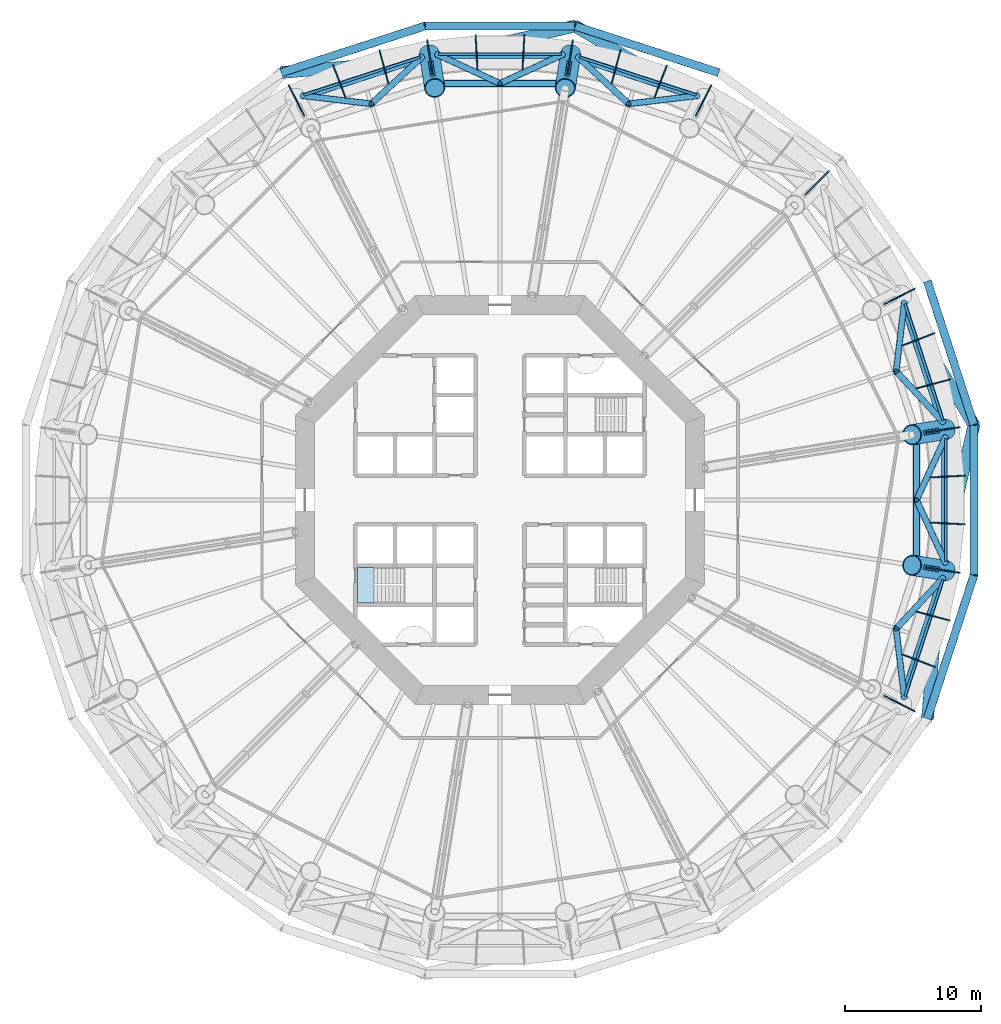
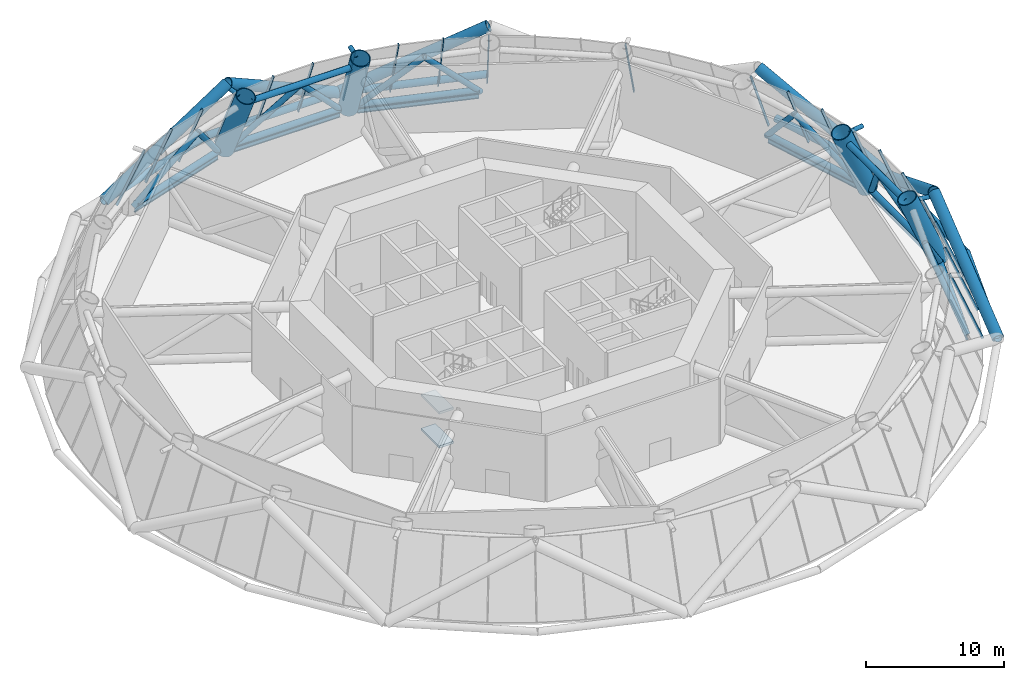
# One storey, part 6 of 14: 61 members, 6 beams, 2 slabs, 10 elements without a shape of their own.
"""IFC4 building model written with IfcOpenShell, lengths in metres."""

from ifc_helpers import new_model, si_unit, direction, frame, origin, origin_2d, place, context, subcontext, project, spatial, polyline, rectangle, circle, hollow_circle, i_section, outline, extrude, material, layer, layer_set, material_profile, profile_set, type_object, element, aggregate, save


model = new_model("IFC4")

# Units and contexts
model_context = context("Model", 3, precision=1e-05, world=origin(), true_north=direction((0.0, 1.0)))
body_context = subcontext(model_context, "Body", "Model", "MODEL_VIEW")
ifc_project = project(units=[si_unit("LENGTHUNIT", "METRE"), si_unit("AREAUNIT", "SQUARE_METRE"), si_unit("VOLUMEUNIT", "CUBIC_METRE"), si_unit("PLANEANGLEUNIT", "RADIAN"), si_unit("MASSUNIT", "GRAM", prefix="KILO")], contexts=[model_context])

# Site, building, storey
site_placement = place(None, origin())
site = spatial("IfcSite", under=ifc_project, at=site_placement, CompositionType="ELEMENT")
building_placement = place(site_placement, origin())
building = spatial("IfcBuilding", under=site, at=building_placement, Name="Entoto Ring Tower", CompositionType="ELEMENT")
storey_placement = place(building_placement, frame((0.0, 0.0, 74.0)))
storey = spatial("IfcBuildingStorey", under=building, at=storey_placement, Name="L16", CompositionType="ELEMENT", Elevation=74.0)

# Members
ifc_material_1 = material(Name="Steel S355", Category="steel")
ifc_material_profile_1 = material_profile(ifc_material_1, hollow_circle(Radius=0.449951171875, WallThickness=0.044921875, at=origin_2d()), Name="CHS 900 x 45")
ifc_material_2 = material(Name="Concrete C60/75", Category="concrete")
ifc_material_profile_2 = material_profile(ifc_material_2, circle(Radius=0.405029296875, at=origin_2d()), Name="Concrete C60/75 infill")
ifc_profile_set_1 = profile_set([ifc_material_profile_1, ifc_material_profile_2], Name="Steel S355")
member_type_1 = type_object("IfcMemberType", Name="Diagrid diagonal 900 x 45 concrete-filled tube", PredefinedType="BRACE", material=ifc_profile_set_1)
member_1_placement = place(storey_placement, frame((124.7666015625, 85.506591796875, 0.0), z_axis=(-0.198381662974, -0.853390289962, 0.482047434175), x_axis=(0.974028469181, -0.226425575464, 0.0)))
element("IfcMember", 1, at=member_1_placement, inside=storey, type_object=member_type_1, Name="DG2 module 5 01", PredefinedType="BRACE", context=body_context, shape_type="SweptSolid", body=[
    extrude(hollow_circle(Radius=0.449951171875, WallThickness=0.044921875, at=origin_2d()), origin(), (0.0, 0.0, 1.0), 12.447021484375),
])
for number, where, z_axis, x_axis, name in (
    (2, (124.7666015625, 85.506591796875, 0.0), (-0.452381185358, 0.750313710373, 0.482058709247), (-0.856386694306, -0.516334997667, 0.0), "DG2 module 5 02"),
    (3, (95.506591796875, 114.7666015625, 0.0), (0.750313710373, -0.452381185358, 0.482058709247), (0.516334997667, 0.856386694306, 0.0), "DG2 module 5 05"),
):
    element("IfcMember", number, at=place(storey_placement, frame(where, z_axis=z_axis, x_axis=x_axis)), inside=storey, type_object=member_type_1, Name=name, PredefinedType="BRACE", context=body_context, shape_type="SweptSolid", body=[
        extrude(hollow_circle(Radius=0.449951171875, WallThickness=0.044921875, at=origin_2d()), origin(), (0.0, 0.0, 1.0), 12.446533203125),
    ])
member_2_placement = place(storey_placement, frame((95.506591796875, 114.7666015625, 0.0), z_axis=(-0.853390289962, -0.198381662974, 0.482047434175), x_axis=(0.226425575464, -0.974028469181, 0.0)))
element("IfcMember", 4, at=member_2_placement, inside=storey, type_object=member_type_1, Name="DG2 module 5 06", PredefinedType="BRACE", context=body_context, shape_type="SweptSolid", body=[
    extrude(hollow_circle(Radius=0.449951171875, WallThickness=0.044921875, at=origin_2d()), origin(), (0.0, 0.0, 1.0), 12.447021484375),
])
for number, where, z_axis, x_axis, name in (
    (5, (74.01953125, 111.363525390625, 0.0), (0.872922129867, 0.075027012712, 0.482055912267), (-0.08563354455, 0.996326701463, 0.0), "DG2 module 5 07"),
    (6, (121.363525390625, 64.01953125, 0.0), (0.075027012712, 0.872922129867, 0.482055912267), (-0.996326701463, 0.08563354455, 0.0), "DG2 module 5 20"),
):
    element("IfcMember", number, at=place(storey_placement, frame(where, z_axis=z_axis, x_axis=x_axis)), inside=storey, type_object=member_type_1, Name=name, PredefinedType="BRACE", context=body_context, shape_type="SweptSolid", body=[
        extrude(hollow_circle(Radius=0.449951171875, WallThickness=0.044921875, at=origin_2d()), origin(), (0.0, 0.0, 1.0), 12.44677734375),
    ])
ifc_material_3 = material(Name="Steel S355", Category="steel")
ifc_material_profile_3 = material_profile(ifc_material_3, hollow_circle(Radius=0.177734375, WallThickness=0.01611328125, at=origin_2d()), Name="CHS 355.6 x 16")
ifc_material_4 = material(Name="Concrete C60/75", Category="concrete")
ifc_material_profile_4 = material_profile(ifc_material_4, circle(Radius=0.161865234375, at=origin_2d()), Name="Concrete C60/75 infill")
ifc_profile_set_2 = profile_set([ifc_material_profile_3, ifc_material_profile_4], Name="Steel S355")
member_type_2 = type_object("IfcMemberType", Name="Diagrid node strut 355.6 x 16", PredefinedType="STRUT", material=ifc_profile_set_2)
for number, where, z_axis, x_axis, name in (
    (7, (94.92236328125, 111.0791015625, 5.672119140625), (0.156570806263, 0.98766673662, 0.0), (-0.98766673662, 0.156570806263, 0.0), "DS1 strut ring 5 04"),
    (8, (85.07763671875, 111.0791015625, 5.672119140625), (-0.156570806263, 0.98766673662, 0.0), (-0.98766673662, -0.156570806263, 0.0), "DS1 strut ring 5 05"),
    (9, (121.0791015625, 75.07763671875, 5.672119140625), (0.98766673662, -0.156570806263, 0.0), (0.156570806263, 0.98766673662, 0.0), "DS1 strut ring 5 19"),
    (10, (121.0791015625, 84.92236328125, 5.672119140625), (0.98766673662, 0.156570806263, 0.0), (-0.156570806263, 0.98766673662, 0.0), "DS1 strut ring 5 20"),
):
    element("IfcMember", number, at=place(storey_placement, frame(where, z_axis=z_axis, x_axis=x_axis)), inside=storey, type_object=member_type_2, Name=name, PredefinedType="STRUT", context=body_context, shape_type="SweptSolid", body=[
        extrude(hollow_circle(Radius=0.177734375, WallThickness=0.01611328125, at=origin_2d()), origin(), (0.0, 0.0, 1.0), 1.133544921875),
    ])
ifc_material_5 = material(Name="Steel S355", Category="steel")
ifc_material_profile_5 = material_profile(ifc_material_5, hollow_circle(Radius=0.300048828125, WallThickness=0.030029296875, at=origin_2d()), Name="CHS 600 x 30")
ifc_material_6 = material(Name="Concrete C60/75", Category="concrete")
ifc_material_profile_6 = material_profile(ifc_material_6, circle(Radius=0.27001953125, at=origin_2d()), Name="Concrete C60/75 infill")
ifc_profile_set_3 = profile_set([ifc_material_profile_5, ifc_material_profile_6], Name="Steel S355")
member_type_3 = type_object("IfcMemberType", Name="Diagrid ring beam 600 x 30", PredefinedType="CHORD", material=ifc_profile_set_3)
for number, where, z_axis, x_axis, name in (
    (11, (124.78759765625, 85.4423828125, 0.0), (-0.309031105137, 0.951051931315, 0.0), (-0.951051931315, -0.309031105137, 0.0), "DR1 ring 4 01"),
    (12, (106.044677734375, 111.342529296875, 0.0), (-0.951051931315, 0.309031105137, 0.0), (-0.309031105137, -0.951051931315, 0.0), "DR1 ring 4 04"),
    (13, (95.573974609375, 114.7666015625, 0.0), (-1.0, 0.0, 0.0), (0.0, -1.0, 0.0), "DR1 ring 4 05"),
    (14, (84.5576171875, 114.78759765625, 0.0), (-0.951051931315, -0.309031105137, 0.0), (0.309031105137, -0.951051931315, 0.0), "DR1 ring 4 06"),
    (15, (121.342529296875, 63.955322265625, 0.0), (0.309031105137, 0.951051931315, 0.0), (-0.951051931315, 0.309031105137, 0.0), "DR1 ring 4 19"),
    (16, (124.7666015625, 74.426025390625, 0.0), (0.0, 1.0, 0.0), (-1.0, 0.0, 0.0), "DR1 ring 4 20"),
):
    element("IfcMember", number, at=place(storey_placement, frame(where, z_axis=z_axis, x_axis=x_axis)), inside=storey, type_object=member_type_3, Name=name, PredefinedType="CHORD", context=body_context, shape_type="SweptSolid", body=[
        extrude(hollow_circle(Radius=0.300048828125, WallThickness=0.030029296875, at=origin_2d()), origin(), (0.0, 0.0, 1.0), 11.14794921875),
    ])

# Beams
ifc_material_7 = material(Name="Steel S355", Category="steel")
ifc_material_profile_7 = material_profile(ifc_material_7, i_section(OverallWidth=0.179931640625, OverallDepth=0.39990234375, WebThickness=0.008544921875, FlangeThickness=0.013427734375, FilletRadius=0.02099609375, at=origin_2d()), Name="IPE 400")
ifc_profile_set_4 = profile_set([ifc_material_profile_7], Name="Steel S355")
beam_type = type_object("IfcBeamType", Name="Edge beam IPE 400", PredefinedType="SPANDREL", material=ifc_profile_set_4)
for number, where, z_axis, x_axis, name in (
    (17, (122.484130859375, 85.819091796875, -0.35009765625), (-0.309006400295, 0.951059958455, 0.0), (-0.951059958455, -0.309006400295, 0.0), "Edge beam L16 01"),
    (18, (104.385986328125, 109.70068359375, -0.35009765625), (-0.951059958455, 0.309006400295, 0.0), (-0.309006400295, -0.951059958455, 0.0), "Edge beam L16 04"),
    (19, (94.50390625, 112.6923828125, -0.35009765625), (-1.0, 0.0, 0.0), (0.0, -1.0, 0.0), "Edge beam L16 05"),
    (20, (84.180908203125, 112.484130859375, -0.35009765625), (-0.951059958455, -0.309006400295, 0.0), (0.309006400295, -0.951059958455, 0.0), "Edge beam L16 06"),
    (21, (119.70068359375, 65.614013671875, -0.35009765625), (0.309006400295, 0.951059958455, 0.0), (-0.951059958455, 0.309006400295, 0.0), "Edge beam L16 19"),
    (22, (122.6923828125, 75.49609375, -0.35009765625), (0.0, 1.0, 0.0), (-1.0, 0.0, 0.0), "Edge beam L16 20"),
):
    element("IfcBeam", number, at=place(storey_placement, frame(where, z_axis=z_axis, x_axis=x_axis)), inside=storey, type_object=beam_type, Name=name, PredefinedType="SPANDREL", context=body_context, shape_type="SweptSolid", body=[
        extrude(i_section(OverallWidth=0.179931640625, OverallDepth=0.39990234375, WebThickness=0.008544921875, FlangeThickness=0.013427734375, FilletRadius=0.02099609375, at=origin_2d()), origin(), (0.0, 0.0, 1.0), 9.0078125),
    ])

# Curtain wall, members
ifc_material_8 = material(Name="Anodised aluminium", Category="aluminium")
ifc_layer_1 = layer(ifc_material_8, 0.10009765625)
ifc_layer_set_1 = layer_set([ifc_layer_1], Name="Anodised aluminium")
curtain_wall_type = type_object("IfcCurtainWallType", Name="Louvre curtain wall system CW7", PredefinedType="NOTDEFINED", material=ifc_layer_set_1)
curtain_wall_1_placement = place(storey_placement, origin())
curtain_wall_1 = element("IfcCurtainWall", 23, at=curtain_wall_1_placement, inside=storey, type_object=curtain_wall_type, Name="CW7 L16-01", PredefinedType="NOTDEFINED")
ifc_material_9 = material(Name="Anodised aluminium", Category="aluminium")
ifc_material_profile_8 = material_profile(ifc_material_9, rectangle(XDim=0.080078125, YDim=0.199951171875, at=origin_2d()), Name="Mullion 80 x 200 mm anodised aluminium")
ifc_profile_set_5 = profile_set([ifc_material_profile_8], Name="Anodised aluminium")
member_type_4 = type_object("IfcMemberType", Name="Mullion 80 x 200 mm anodised aluminium", PredefinedType="MULLION", material=ifc_profile_set_5)
member_3_placement = place(storey_placement, frame((123.672607421875, 85.333251953125, 0.03857421875), z_axis=(-0.379907115901, -0.060155863708, 0.923066549794), x_axis=(0.15639512268, -0.98769457101, 0.0)))
member_3 = element("IfcMember", 24, at=member_3_placement, type_object=member_type_4, Name="MULLION L16-00", PredefinedType="MULLION", context=body_context, shape_type="SweptSolid", body=[
    extrude(rectangle(XDim=0.080078125, YDim=0.199951171875, at=origin_2d()), origin(), (0.0, 0.0, 1.0), 6.254150390625),
])
member_4_placement = place(storey_placement, frame((122.9306640625, 88.82373046875, 0.03857421875), z_axis=(-0.371517215719, -0.099544909119, 0.923074086676), x_axis=(0.258812183003, -0.965927664957, 0.0)))
member_4 = element("IfcMember", 25, at=member_4_placement, type_object=member_type_4, Name="MULLION L16-01", PredefinedType="MULLION", context=body_context, shape_type="SweptSolid", body=[
    extrude(rectangle(XDim=0.080078125, YDim=0.199951171875, at=origin_2d()), origin(), (0.0, 0.0, 1.0), 6.254150390625),
])
member_5_placement = place(storey_placement, frame((121.827880859375, 92.217529296875, 0.03857421875), z_axis=(-0.359065607861, -0.137840906866, 0.92307733893), x_axis=(0.358387287841, -0.933573002991, 0.0)))
member_5 = element("IfcMember", 26, at=member_5_placement, type_object=member_type_4, Name="MULLION L16-02", PredefinedType="MULLION", context=body_context, shape_type="SweptSolid", body=[
    extrude(rectangle(XDim=0.080078125, YDim=0.199951171875, at=origin_2d()), origin(), (0.0, 0.0, 1.0), 6.25390625),
])
aggregate(curtain_wall_1, [member_3, member_4, member_5])

# Curtain wall, member
curtain_wall_2_placement = place(storey_placement, origin())
curtain_wall_2 = element("IfcCurtainWall", 27, at=curtain_wall_2_placement, inside=storey, type_object=curtain_wall_type, Name="CW7 L16-02", PredefinedType="NOTDEFINED")
member_6_placement = place(storey_placement, frame((120.37646484375, 95.4775390625, 0.03857421875), z_axis=(-0.342707021712, -0.174613111757, 0.923072130698), x_axis=(0.453980514773, -0.891011611713, 0.0)))
member_6 = element("IfcMember", 28, at=member_6_placement, type_object=member_type_4, Name="MULLION L16-03", PredefinedType="MULLION", context=body_context, shape_type="SweptSolid", body=[
    extrude(rectangle(XDim=0.080078125, YDim=0.199951171875, at=origin_2d()), origin(), (0.0, 0.0, 1.0), 6.254150390625),
])
aggregate(curtain_wall_2, [member_6])

curtain_wall_3_placement = place(storey_placement, origin())
curtain_wall_3 = element("IfcCurtainWall", 29, at=curtain_wall_3_placement, inside=storey, type_object=curtain_wall_type, Name="CW7 L16-03", PredefinedType="NOTDEFINED")
member_7_placement = place(storey_placement, frame((114.10693359375, 104.10693359375, 0.03857421875), z_axis=(-0.271971811529, -0.271971811529, 0.923072406405), x_axis=(0.707106781187, -0.707106781187, 0.0)))
member_7 = element("IfcMember", 30, at=member_7_placement, type_object=member_type_4, Name="MULLION L16-06", PredefinedType="MULLION", context=body_context, shape_type="SweptSolid", body=[
    extrude(rectangle(XDim=0.080078125, YDim=0.199951171875, at=origin_2d()), origin(), (0.0, 0.0, 1.0), 6.254150390625),
])
aggregate(curtain_wall_3, [member_7])

# Curtain wall, members
curtain_wall_4_placement = place(storey_placement, origin())
curtain_wall_4 = element("IfcCurtainWall", 31, at=curtain_wall_4_placement, inside=storey, type_object=curtain_wall_type, Name="CW7 L16-04", PredefinedType="NOTDEFINED")
member_8_placement = place(storey_placement, frame((105.4775390625, 110.37646484375, 0.03857421875), z_axis=(-0.174613111757, -0.342707021712, 0.923072130698), x_axis=(0.891011611713, -0.453980514773, 0.0)))
member_8 = element("IfcMember", 32, at=member_8_placement, type_object=member_type_4, Name="MULLION L16-09", PredefinedType="MULLION", context=body_context, shape_type="SweptSolid", body=[
    extrude(rectangle(XDim=0.080078125, YDim=0.199951171875, at=origin_2d()), origin(), (0.0, 0.0, 1.0), 6.254150390625),
])
member_9_placement = place(storey_placement, frame((102.217529296875, 111.827880859375, 0.03857421875), z_axis=(-0.137840906866, -0.359065607861, 0.92307733893), x_axis=(0.933573002991, -0.358387287841, 0.0)))
member_9 = element("IfcMember", 33, at=member_9_placement, type_object=member_type_4, Name="MULLION L16-10", PredefinedType="MULLION", context=body_context, shape_type="SweptSolid", body=[
    extrude(rectangle(XDim=0.080078125, YDim=0.199951171875, at=origin_2d()), origin(), (0.0, 0.0, 1.0), 6.25390625),
])
member_10_placement = place(storey_placement, frame((98.82373046875, 112.9306640625, 0.03857421875), z_axis=(-0.099544909119, -0.371517215719, 0.923074086676), x_axis=(0.965927664957, -0.258812183003, 0.0)))
member_10 = element("IfcMember", 34, at=member_10_placement, type_object=member_type_4, Name="MULLION L16-11", PredefinedType="MULLION", context=body_context, shape_type="SweptSolid", body=[
    extrude(rectangle(XDim=0.080078125, YDim=0.199951171875, at=origin_2d()), origin(), (0.0, 0.0, 1.0), 6.254150390625),
])
aggregate(curtain_wall_4, [member_8, member_9, member_10])

curtain_wall_5_placement = place(storey_placement, origin())
curtain_wall_5 = element("IfcCurtainWall", 35, at=curtain_wall_5_placement, inside=storey, type_object=curtain_wall_type, Name="CW7 L16-05", PredefinedType="NOTDEFINED")
member_11_placement = place(storey_placement, frame((95.333251953125, 113.672607421875, 0.03857421875), z_axis=(-0.060155863708, -0.379907115901, 0.923066549794), x_axis=(0.98769457101, -0.15639512268, 0.0)))
member_11 = element("IfcMember", 36, at=member_11_placement, type_object=member_type_4, Name="MULLION L16-12", PredefinedType="MULLION", context=body_context, shape_type="SweptSolid", body=[
    extrude(rectangle(XDim=0.080078125, YDim=0.199951171875, at=origin_2d()), origin(), (0.0, 0.0, 1.0), 6.254150390625),
])
member_12_placement = place(storey_placement, frame((91.7841796875, 114.045654296875, 0.03857421875), z_axis=(-0.020104239044, -0.384088559131, 0.923077352293), x_axis=(0.998632928395, -0.052271161513, 0.0)))
member_12 = element("IfcMember", 37, at=member_12_placement, type_object=member_type_4, Name="MULLION L16-13", PredefinedType="MULLION", context=body_context, shape_type="SweptSolid", body=[
    extrude(rectangle(XDim=0.080078125, YDim=0.199951171875, at=origin_2d()), origin(), (0.0, 0.0, 1.0), 6.25390625),
])
member_13_placement = place(storey_placement, frame((88.2158203125, 114.045654296875, 0.03857421875), z_axis=(0.020104239044, -0.384088559131, 0.923077352293), x_axis=(0.998632928395, 0.052271161513, 0.0)))
member_13 = element("IfcMember", 38, at=member_13_placement, type_object=member_type_4, Name="MULLION L16-14", PredefinedType="MULLION", context=body_context, shape_type="SweptSolid", body=[
    extrude(rectangle(XDim=0.080078125, YDim=0.199951171875, at=origin_2d()), origin(), (0.0, 0.0, 1.0), 6.25390625),
])
aggregate(curtain_wall_5, [member_11, member_12, member_13])

curtain_wall_6_placement = place(storey_placement, origin())
curtain_wall_6 = element("IfcCurtainWall", 39, at=curtain_wall_6_placement, inside=storey, type_object=curtain_wall_type, Name="CW7 L16-06", PredefinedType="NOTDEFINED")
member_14_placement = place(storey_placement, frame((84.666748046875, 113.672607421875, 0.03857421875), z_axis=(0.060155863708, -0.379907115901, 0.923066549794), x_axis=(0.98769457101, 0.15639512268, 0.0)))
member_14 = element("IfcMember", 40, at=member_14_placement, type_object=member_type_4, Name="MULLION L16-15", PredefinedType="MULLION", context=body_context, shape_type="SweptSolid", body=[
    extrude(rectangle(XDim=0.080078125, YDim=0.199951171875, at=origin_2d()), origin(), (0.0, 0.0, 1.0), 6.254150390625),
])
member_15_placement = place(storey_placement, frame((81.17626953125, 112.9306640625, 0.03857421875), z_axis=(0.099544909119, -0.371517215719, 0.923074086676), x_axis=(0.965927664957, 0.258812183003, 0.0)))
member_15 = element("IfcMember", 41, at=member_15_placement, type_object=member_type_4, Name="MULLION L16-16", PredefinedType="MULLION", context=body_context, shape_type="SweptSolid", body=[
    extrude(rectangle(XDim=0.080078125, YDim=0.199951171875, at=origin_2d()), origin(), (0.0, 0.0, 1.0), 6.254150390625),
])
member_16_placement = place(storey_placement, frame((77.782470703125, 111.827880859375, 0.03857421875), z_axis=(0.137840906866, -0.359065607861, 0.92307733893), x_axis=(0.933573002991, 0.358387287841, 0.0)))
member_16 = element("IfcMember", 42, at=member_16_placement, type_object=member_type_4, Name="MULLION L16-17", PredefinedType="MULLION", context=body_context, shape_type="SweptSolid", body=[
    extrude(rectangle(XDim=0.080078125, YDim=0.199951171875, at=origin_2d()), origin(), (0.0, 0.0, 1.0), 6.25390625),
])
aggregate(curtain_wall_6, [member_14, member_15, member_16])

# Curtain wall, member
curtain_wall_7_placement = place(storey_placement, origin())
curtain_wall_7 = element("IfcCurtainWall", 43, at=curtain_wall_7_placement, inside=storey, type_object=curtain_wall_type, Name="CW7 L16-07", PredefinedType="NOTDEFINED")
member_17_placement = place(storey_placement, frame((74.5224609375, 110.37646484375, 0.03857421875), z_axis=(0.174613111757, -0.342707021712, 0.923072130698), x_axis=(0.891011611713, 0.453980514773, 0.0)))
member_17 = element("IfcMember", 44, at=member_17_placement, type_object=member_type_4, Name="MULLION L16-18", PredefinedType="MULLION", context=body_context, shape_type="SweptSolid", body=[
    extrude(rectangle(XDim=0.080078125, YDim=0.199951171875, at=origin_2d()), origin(), (0.0, 0.0, 1.0), 6.254150390625),
])
aggregate(curtain_wall_7, [member_17])

# Curtain wall, members
curtain_wall_8_placement = place(storey_placement, origin())
curtain_wall_8 = element("IfcCurtainWall", 45, at=curtain_wall_8_placement, inside=storey, type_object=curtain_wall_type, Name="CW7 L16-19", PredefinedType="NOTDEFINED")
member_18_placement = place(storey_placement, frame((120.37646484375, 64.5224609375, 0.03857421875), z_axis=(-0.342707021712, 0.174613111757, 0.923072130698), x_axis=(-0.453980514773, -0.891011611713, 0.0)))
member_18 = element("IfcMember", 46, at=member_18_placement, type_object=member_type_4, Name="MULLION L16-54", PredefinedType="MULLION", context=body_context, shape_type="SweptSolid", body=[
    extrude(rectangle(XDim=0.080078125, YDim=0.199951171875, at=origin_2d()), origin(), (0.0, 0.0, 1.0), 6.254150390625),
])
member_19_placement = place(storey_placement, frame((121.827880859375, 67.782470703125, 0.03857421875), z_axis=(-0.359065607861, 0.137840906866, 0.92307733893), x_axis=(-0.358387287841, -0.933573002991, 0.0)))
member_19 = element("IfcMember", 47, at=member_19_placement, type_object=member_type_4, Name="MULLION L16-55", PredefinedType="MULLION", context=body_context, shape_type="SweptSolid", body=[
    extrude(rectangle(XDim=0.080078125, YDim=0.199951171875, at=origin_2d()), origin(), (0.0, 0.0, 1.0), 6.25390625),
])
member_20_placement = place(storey_placement, frame((122.9306640625, 71.17626953125, 0.03857421875), z_axis=(-0.371517215719, 0.099544909119, 0.923074086676), x_axis=(-0.258812183003, -0.965927664957, 0.0)))
member_20 = element("IfcMember", 48, at=member_20_placement, type_object=member_type_4, Name="MULLION L16-56", PredefinedType="MULLION", context=body_context, shape_type="SweptSolid", body=[
    extrude(rectangle(XDim=0.080078125, YDim=0.199951171875, at=origin_2d()), origin(), (0.0, 0.0, 1.0), 6.254150390625),
])
aggregate(curtain_wall_8, [member_18, member_19, member_20])

curtain_wall_9_placement = place(storey_placement, origin())
curtain_wall_9 = element("IfcCurtainWall", 49, at=curtain_wall_9_placement, inside=storey, type_object=curtain_wall_type, Name="CW7 L16-20", PredefinedType="NOTDEFINED")
member_21_placement = place(storey_placement, frame((123.672607421875, 74.666748046875, 0.03857421875), z_axis=(-0.379907115901, 0.060155863708, 0.923066549794), x_axis=(-0.15639512268, -0.98769457101, 0.0)))
member_21 = element("IfcMember", 50, at=member_21_placement, type_object=member_type_4, Name="MULLION L16-57", PredefinedType="MULLION", context=body_context, shape_type="SweptSolid", body=[
    extrude(rectangle(XDim=0.080078125, YDim=0.199951171875, at=origin_2d()), origin(), (0.0, 0.0, 1.0), 6.254150390625),
])
member_22_placement = place(storey_placement, frame((124.045654296875, 78.2158203125, 0.03857421875), z_axis=(-0.384088559131, 0.020104239044, 0.923077352293), x_axis=(-0.052271161513, -0.998632928395, 0.0)))
member_22 = element("IfcMember", 51, at=member_22_placement, type_object=member_type_4, Name="MULLION L16-58", PredefinedType="MULLION", context=body_context, shape_type="SweptSolid", body=[
    extrude(rectangle(XDim=0.080078125, YDim=0.199951171875, at=origin_2d()), origin(), (0.0, 0.0, 1.0), 6.25390625),
])
member_23_placement = place(storey_placement, frame((124.045654296875, 81.7841796875, 0.03857421875), z_axis=(-0.384088559131, -0.020104239044, 0.923077352293), x_axis=(0.052271161513, -0.998632928395, 0.0)))
member_23 = element("IfcMember", 52, at=member_23_placement, type_object=member_type_4, Name="MULLION L16-59", PredefinedType="MULLION", context=body_context, shape_type="SweptSolid", body=[
    extrude(rectangle(XDim=0.080078125, YDim=0.199951171875, at=origin_2d()), origin(), (0.0, 0.0, 1.0), 6.25390625),
])
aggregate(curtain_wall_9, [member_21, member_22, member_23])

# Members
ifc_material_10 = material(Name="Steel S355", Category="steel")
ifc_material_profile_9 = material_profile(ifc_material_10, hollow_circle(Radius=0.75, WallThickness=0.06494140625, at=origin_2d()), Name="CHS 1500 x 65")
ifc_material_11 = material(Name="Concrete C60/75", Category="concrete")
ifc_material_profile_10 = material_profile(ifc_material_11, circle(Radius=0.68505859375, at=origin_2d()), Name="Concrete C60/75 infill")
ifc_profile_set_6 = profile_set([ifc_material_profile_9, ifc_material_profile_10], Name="Steel S355")
member_type_5 = type_object("IfcMemberType", Name="Ring column jog 1500 x 65 concrete-filled tube", PredefinedType="STRUT", material=ifc_profile_set_6)
for number, where, z_axis, x_axis, name in (
    (53, (122.6923828125, 85.177978515625, 0.0), (-0.37988233017, -0.06017119764, 0.923075751062), (0.156443969736, -0.987686835152, 0.0), "RJ1B R01"),
    (54, (95.177978515625, 112.6923828125, 0.0), (-0.06017119764, -0.37988233017, 0.923075751062), (0.987686835152, -0.156443969736, 0.0), "RJ1B R05"),
    (55, (84.822021484375, 112.6923828125, 0.0), (0.06017119764, -0.37988233017, 0.923075751062), (0.987686835152, 0.156443969736, 0.0), "RJ1B R06"),
    (56, (122.6923828125, 74.822021484375, 0.0), (-0.37988233017, 0.06017119764, 0.923075751062), (-0.156443969736, -0.987686835152, 0.0), "RJ1B R20"),
):
    element("IfcMember", number, at=place(storey_placement, frame(where, z_axis=z_axis, x_axis=x_axis)), inside=storey, type_object=member_type_5, Name=name, PredefinedType="STRUT", context=body_context, shape_type="SweptSolid", body=[
        extrude(hollow_circle(Radius=0.75, WallThickness=0.06494140625, at=origin_2d()), origin(), (0.0, 0.0, 1.0), 6.5),
    ])
ifc_material_12 = material(Name="Steel S355", Category="steel")
ifc_material_profile_11 = material_profile(ifc_material_12, hollow_circle(Radius=0.25390625, WallThickness=0.030029296875, at=origin_2d()), Name="CHS 508 x 30")
ifc_material_13 = material(Name="Concrete C60/75", Category="concrete")
ifc_material_profile_12 = material_profile(ifc_material_13, circle(Radius=0.22412109375, at=origin_2d()), Name="Concrete C60/75 infill")
ifc_profile_set_7 = profile_set([ifc_material_profile_11, ifc_material_profile_12], Name="Steel S355")
member_type_6 = type_object("IfcMemberType", Name="Ring truss chord 508 x 30", PredefinedType="CHORD", material=ifc_profile_set_7)
for number, where, z_axis, x_axis, name in (
    (57, (122.37548828125, 85.8154296875, 0.25390625), (-0.309015118354, 0.951057125849, 0.0), (-0.951057125849, -0.309015118354, 0.0), "BT1 L16 bottom 01"),
    (58, (104.324951171875, 109.610595703125, 0.25390625), (-0.951057125849, 0.309015118354, 0.0), (-0.309015118354, -0.951057125849, 0.0), "BT1 L16 bottom 04"),
):
    element("IfcMember", number, at=place(storey_placement, frame(where, z_axis=z_axis, x_axis=x_axis)), inside=storey, type_object=member_type_6, Name=name, PredefinedType="CHORD", context=body_context, shape_type="SweptSolid", body=[
        extrude(hollow_circle(Radius=0.25390625, WallThickness=0.030029296875, at=origin_2d()), origin(), (0.0, 0.0, 1.0), 8.947509765625),
    ])
member_24_placement = place(storey_placement, frame((94.473876953125, 112.587890625, 0.25390625), z_axis=(-1.0, 0.0, 0.0), x_axis=(0.0, -1.0, 0.0)))
element("IfcMember", 59, at=member_24_placement, inside=storey, type_object=member_type_6, Name="BT1 L16 bottom 05", PredefinedType="CHORD", context=body_context, shape_type="SweptSolid", body=[
    extrude(hollow_circle(Radius=0.25390625, WallThickness=0.030029296875, at=origin_2d()), origin(), (0.0, 0.0, 1.0), 8.94775390625),
])
member_25_placement = place(storey_placement, frame((94.151611328125, 110.55419921875, 5.196044921875), z_axis=(-1.0, 0.0, 0.0), x_axis=(0.0, -1.0, 0.0)))
element("IfcMember", 60, at=member_25_placement, inside=storey, type_object=member_type_6, Name="BT1 L16 top 05", PredefinedType="CHORD", context=body_context, shape_type="SweptSolid", body=[
    extrude(hollow_circle(Radius=0.25390625, WallThickness=0.030029296875, at=origin_2d()), origin(), (0.0, 0.0, 1.0), 8.30322265625),
])
for number, where, z_axis, x_axis, name in (
    (61, (84.1845703125, 112.37548828125, 0.25390625), (-0.951057125849, -0.309015118354, 0.0), (0.309015118354, -0.951057125849, 0.0), "BT1 L16 bottom 06"),
    (62, (119.610595703125, 65.675048828125, 0.25390625), (0.309015118354, 0.951057125849, 0.0), (-0.951057125849, 0.309015118354, 0.0), "BT1 L16 bottom 19"),
):
    element("IfcMember", number, at=place(storey_placement, frame(where, z_axis=z_axis, x_axis=x_axis)), inside=storey, type_object=member_type_6, Name=name, PredefinedType="CHORD", context=body_context, shape_type="SweptSolid", body=[
        extrude(hollow_circle(Radius=0.25390625, WallThickness=0.030029296875, at=origin_2d()), origin(), (0.0, 0.0, 1.0), 8.947509765625),
    ])
member_26_placement = place(storey_placement, frame((122.587890625, 75.526123046875, 0.25390625), z_axis=(0.0, 1.0, 0.0), x_axis=(-1.0, 0.0, 0.0)))
element("IfcMember", 63, at=member_26_placement, inside=storey, type_object=member_type_6, Name="BT1 L16 bottom 20", PredefinedType="CHORD", context=body_context, shape_type="SweptSolid", body=[
    extrude(hollow_circle(Radius=0.25390625, WallThickness=0.030029296875, at=origin_2d()), origin(), (0.0, 0.0, 1.0), 8.94775390625),
])
member_27_placement = place(storey_placement, frame((120.55419921875, 75.848388671875, 5.196044921875), z_axis=(0.0, 1.0, 0.0), x_axis=(-1.0, 0.0, 0.0)))
element("IfcMember", 64, at=member_27_placement, inside=storey, type_object=member_type_6, Name="BT1 L16 top 20", PredefinedType="CHORD", context=body_context, shape_type="SweptSolid", body=[
    extrude(hollow_circle(Radius=0.25390625, WallThickness=0.030029296875, at=origin_2d()), origin(), (0.0, 0.0, 1.0), 8.30322265625),
])
ifc_material_14 = material(Name="Steel S355", Category="steel")
ifc_material_profile_13 = material_profile(ifc_material_14, hollow_circle(Radius=0.228515625, WallThickness=0.02001953125, at=origin_2d()), Name="CHS 457 x 20")
ifc_material_15 = material(Name="Concrete C60/75", Category="concrete")
ifc_material_profile_14 = material_profile(ifc_material_15, circle(Radius=0.20849609375, at=origin_2d()), Name="Concrete C60/75 infill")
ifc_profile_set_8 = profile_set([ifc_material_profile_13, ifc_material_profile_14], Name="Steel S355")
member_type_7 = type_object("IfcMemberType", Name="Ring truss diagonal 457 x 20", PredefinedType="BRACE", material=ifc_profile_set_8)
for number, where, z_axis, x_axis, name in (
    (65, (122.51220703125, 85.7060546875, 0.020263671875), (-0.475870319778, 0.514724428313, 0.713166321171), (-0.734277032935, -0.678849938429, 0.0), "BT2 L16 01 a"),
    (66, (119.05859375, 89.441650390625, 5.196044921875), (0.082417142906, 0.69613892053, -0.713160583514), (-0.993064514799, 0.117570699781, 0.0), "BT2 L16 01 b"),
    (67, (104.493896484375, 109.65673828125, 0.020263671875), (-0.69613892053, -0.082417142906, 0.713160583514), (0.117570699781, -0.993064514799, 0.0), "BT2 L16 04 a"),
    (68, (99.441650390625, 109.05859375, 5.196044921875), (-0.514724428313, 0.475870319778, -0.713166321171), (-0.678849938429, -0.734277032935, 0.0), "BT2 L16 04 b"),
    (69, (94.6201171875, 112.68408203125, 0.020263671875), (-0.636603289619, -0.293475327554, 0.713167921154), (0.418656433024, -0.908144697219, 0.0), "BT2 L16 05 a"),
    (70, (90.0, 110.55419921875, 5.196044921875), (-0.636603289619, 0.293475327554, -0.713167921154), (-0.418656433024, -0.908144697219, 0.0), "BT2 L16 05 b"),
    (71, (84.2939453125, 112.51220703125, 0.020263671875), (-0.514724428313, -0.475870319778, 0.713166321171), (0.678849938429, -0.734277032935, 0.0), "BT2 L16 06 a"),
    (72, (80.558349609375, 109.05859375, 5.196044921875), (-0.69613892053, 0.082417142906, -0.713160583514), (-0.117570699781, -0.993064514799, 0.0), "BT2 L16 06 b"),
    (73, (119.65673828125, 65.506103515625, 0.020263671875), (-0.082417142906, 0.69613892053, 0.713160583514), (-0.993064514799, -0.117570699781, 0.0), "BT2 L16 19 a"),
    (74, (119.05859375, 70.558349609375, 5.196044921875), (0.475870319778, 0.514724428313, -0.713166321171), (-0.734277032935, 0.678849938429, 0.0), "BT2 L16 19 b"),
    (75, (122.68408203125, 75.3798828125, 0.020263671875), (-0.293475327554, 0.636603289619, 0.713167921154), (-0.908144697219, -0.418656433024, 0.0), "BT2 L16 20 a"),
    (76, (120.55419921875, 80.0, 5.196044921875), (0.293475327554, 0.636603289619, -0.713167921154), (-0.908144697219, 0.418656433024, 0.0), "BT2 L16 20 b"),
):
    element("IfcMember", number, at=place(storey_placement, frame(where, z_axis=z_axis, x_axis=x_axis)), inside=storey, type_object=member_type_7, Name=name, PredefinedType="BRACE", context=body_context, shape_type="SweptSolid", body=[
        extrude(hollow_circle(Radius=0.228515625, WallThickness=0.02001953125, at=origin_2d()), origin(), (0.0, 0.0, 1.0), 7.257568359375),
    ])

# Stair, slabs
ifc_material_16 = material(Name="Concrete C40/50", Category="concrete")
stair_type = type_object("IfcStairType", Name="Exit stair 1200 mm dog-leg reinforced concrete", PredefinedType="HALF_TURN_STAIR", material=ifc_material_16)
stair_placement = place(storey_placement, origin())
stair = element("IfcStair", 77, at=stair_placement, inside=storey, type_object=stair_type, Name="Exit stair 2", PredefinedType="HALF_TURN_STAIR")
ifc_material_17 = material(Name="Concrete C40/50", Category="concrete")
ifc_layer_2 = layer(ifc_material_17, 0.199951171875)
ifc_layer_set_2 = layer_set([ifc_layer_2], Name="Concrete C40/50")
slab_type = type_object("IfcSlabType", Name="Stair landing 200 mm reinforced concrete", PredefinedType="LANDING", material=ifc_layer_set_2)
slab_1_placement = place(storey_placement, frame((0.0, 0.0, -0.199951171875)))
slab_1 = element("IfcSlab", 78, at=slab_1_placement, type_object=slab_type, Name="ST2 landing 1", PredefinedType="LANDING", context=body_context, shape_type="SweptSolid", body=[
    extrude(outline(polyline([(80.75, 72.449951171875), (80.75, 75.050048828125), (79.550048828125, 75.050048828125), (79.550048828125, 72.449951171875), (80.75, 72.449951171875)])), origin(), (0.0, 0.0, 1.0), 0.199951171875),
])
slab_2_placement = place(storey_placement, frame((0.0, 0.0, 2.800048828125)))
slab_2 = element("IfcSlab", 79, at=slab_2_placement, type_object=slab_type, Name="ST2 landing 3", PredefinedType="LANDING", context=body_context, shape_type="SweptSolid", body=[
    extrude(outline(polyline([(79.550048828125, 72.449951171875), (80.75, 72.449951171875), (80.75, 75.050048828125), (79.550048828125, 75.050048828125), (79.550048828125, 72.449951171875)])), origin(), (0.0, 0.0, 1.0), 0.199951171875),
])
aggregate(stair, [slab_1, slab_2])

save(model, "model.ifc")
